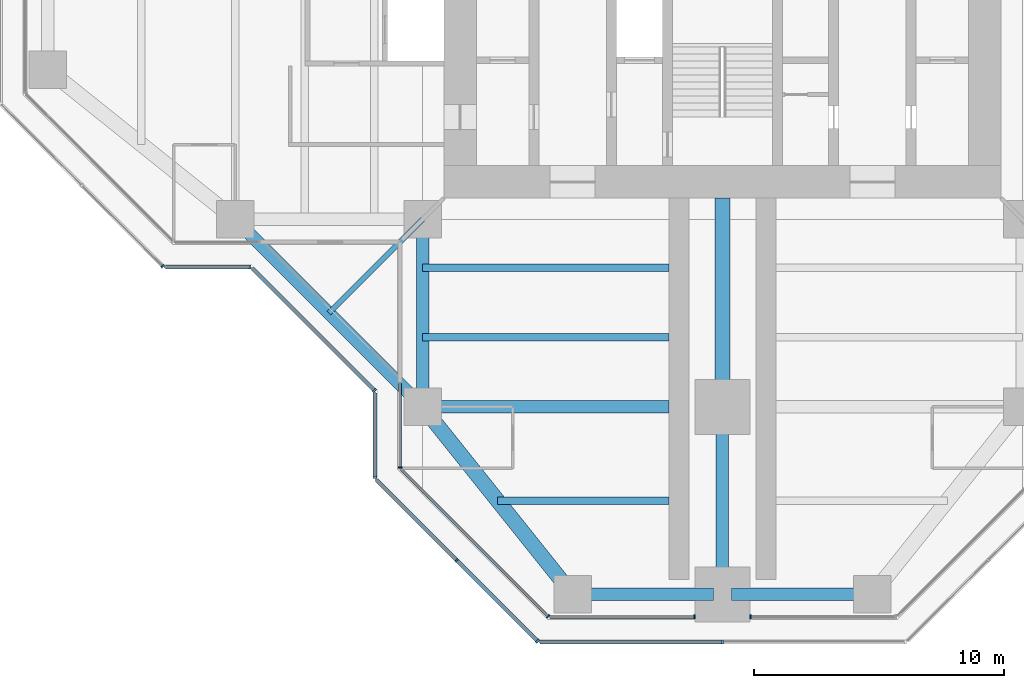
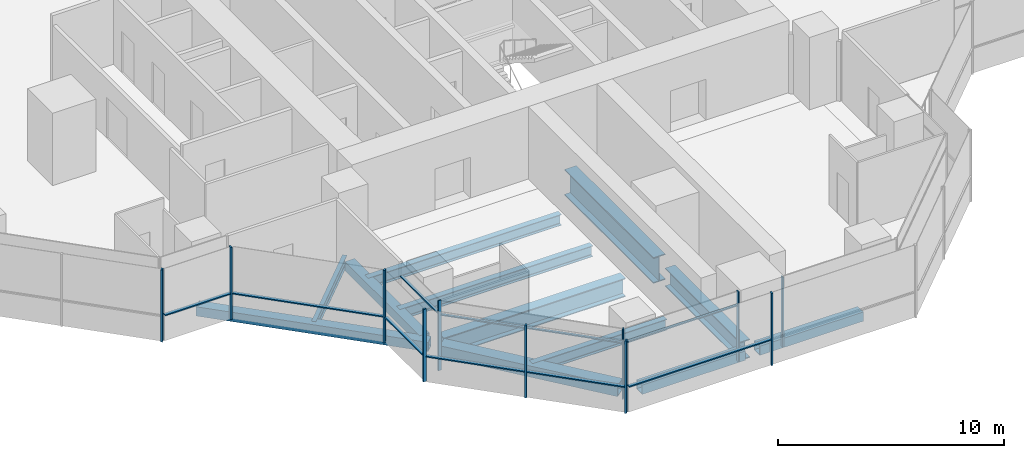
# One storey, part 2 of 17: 20 members, 12 beams, 10 elements without a shape of their own.
"""IFC4 building model written with IfcOpenShell, lengths in metres."""

from ifc_helpers import new_model, si_unit, direction, frame, origin, origin_2d, place, context, subcontext, project, spatial, rectangle, hollow_rectangle, i_section, extrude, material, material_profile, profile_set, type_object, element, aggregate, save


model = new_model("IFC4")

# Units and contexts
model_context = context("Model", 3, precision=1e-05, world=origin(), true_north=direction((0.0, 1.0)))
body_context = subcontext(model_context, "Body", "Model", "MODEL_VIEW")
ifc_project = project(units=[si_unit("LENGTHUNIT", "METRE"), si_unit("AREAUNIT", "SQUARE_METRE"), si_unit("VOLUMEUNIT", "CUBIC_METRE"), si_unit("PLANEANGLEUNIT", "RADIAN"), si_unit("MASSUNIT", "GRAM", prefix="KILO")], contexts=[model_context])

# Site, building, storey
site_placement = place(None, origin())
site = spatial("IfcSite", under=ifc_project, at=site_placement, CompositionType="ELEMENT")
building_placement = place(site_placement, origin())
building = spatial("IfcBuilding", under=site, at=building_placement, Name="Mizan Broadcast Tower", CompositionType="ELEMENT")
storey_placement = place(building_placement, frame((0.0, 0.0, 263.39990234375)))
storey = spatial("IfcBuildingStorey", under=building, at=storey_placement, Name="L62", CompositionType="ELEMENT", Elevation=263.39990234375)

# Beams
ifc_material_1 = material(Name="Steel S355", Category="steel")
ifc_material_profile_1 = material_profile(ifc_material_1, hollow_rectangle(XDim=0.5, YDim=0.5, WallThickness=0.030029296875, at=origin_2d()), Name="BOX 500x500x30")
ifc_profile_set_1 = profile_set([ifc_material_profile_1], Name="Steel S355")
beam_type_1 = type_object("IfcBeamType", Name="EDGE BEAM BOX 500x500x30", PredefinedType="SPANDREL", material=ifc_profile_set_1)
beam_1_placement = place(storey_placement, frame((-12.0, -12.449951171875, -0.3798828125), z_axis=(0.0, -1.0, 0.0), x_axis=(1.0, 0.0, 0.0)))
element("IfcBeam", 1, at=beam_1_placement, inside=storey, type_object=beam_type_1, Name="Edge beam BOX 500x500x30 L62 south arm", PredefinedType="SPANDREL", context=body_context, shape_type="SweptSolid", body=[
    extrude(hollow_rectangle(XDim=0.5, YDim=0.5, WallThickness=0.030029296875, at=origin_2d()), origin(), (0.0, 0.0, 1.0), 6.60009765625),
])
for number, where, z_axis, x_axis, name in (
    (2, (-5.639892578125, -27.0, -0.3798828125), (1.0, 0.0, 0.0), (0.0, 1.0, 0.0), "Edge beam BOX 500x500x30 L62 south arm"),
    (3, (5.639892578125, -27.0, -0.3798828125), (-1.0, 0.0, 0.0), (0.0, -1.0, 0.0), "Edge beam BOX 500x500x30 L62 south arm"),
):
    element("IfcBeam", number, at=place(storey_placement, frame(where, z_axis=z_axis, x_axis=x_axis)), inside=storey, type_object=beam_type_1, Name=name, PredefinedType="SPANDREL", context=body_context, shape_type="SweptSolid", body=[
        extrude(hollow_rectangle(XDim=0.5, YDim=0.5, WallThickness=0.030029296875, at=origin_2d()), origin(), (0.0, 0.0, 1.0), 5.27978515625),
    ])
beam_2_placement = place(storey_placement, frame((-19.5, -12.0, -0.3798828125), z_axis=(0.707106781187, -0.707106781187, 0.0), x_axis=(0.707106781187, 0.707106781187, 0.0)))
element("IfcBeam", 4, at=beam_2_placement, inside=storey, type_object=beam_type_1, Name="Winter garden edge beam L62 W", PredefinedType="SPANDREL", context=body_context, shape_type="SweptSolid", body=[
    extrude(hollow_rectangle(XDim=0.5, YDim=0.5, WallThickness=0.030029296875, at=origin_2d()), origin(), (0.0, 0.0, 1.0), 10.606689453125),
])
ifc_material_2 = material(Name="Steel S355", Category="steel")
ifc_material_profile_2 = material_profile(ifc_material_2, hollow_rectangle(XDim=0.60009765625, YDim=0.60009765625, WallThickness=0.030029296875, at=origin_2d()), Name="BOX 600x600x30")
ifc_profile_set_2 = profile_set([ifc_material_profile_2], Name="Steel S355")
beam_type_2 = type_object("IfcBeamType", Name="EDGE BEAM BOX 600x600x30", PredefinedType="SPANDREL", material=ifc_profile_set_2)
beam_3_placement = place(storey_placement, frame((-11.639892578125, -19.949951171875, -0.429931640625), z_axis=(0.624673911726, -0.780885717636, 0.0), x_axis=(0.780885717636, 0.624673911726, 0.0)))
element("IfcBeam", 5, at=beam_3_placement, inside=storey, type_object=beam_type_2, Name="Edge beam BOX 600x600x30 L62 south arm", PredefinedType="SPANDREL", context=body_context, shape_type="SweptSolid", body=[
    extrude(hollow_rectangle(XDim=0.60009765625, YDim=0.60009765625, WallThickness=0.030029296875, at=origin_2d()), origin(), (0.0, 0.0, 1.0), 8.4521484375),
])
ifc_material_3 = material(Name="Steel S460", Category="steel")
ifc_material_profile_3 = material_profile(ifc_material_3, i_section(OverallWidth=0.5, OverallDepth=1.0, WebThickness=0.02490234375, FlangeThickness=0.050048828125, at=origin_2d()), Name="WPG 1000x500")
ifc_profile_set_3 = profile_set([ifc_material_profile_3], Name="Steel S460")
beam_type_3 = type_object("IfcBeamType", Name="GIRDER WPG 1000x500", PredefinedType="BEAM", material=ifc_profile_set_3)
beam_4_placement = place(storey_placement, frame((0.0, -19.949951171875, -0.6298828125), z_axis=(0.0, -1.0, 0.0), x_axis=(1.0, 0.0, 0.0)))
element("IfcBeam", 6, at=beam_4_placement, inside=storey, type_object=beam_type_3, Name="Girder WPG 1000x500 L62 south arm", PredefinedType="BEAM", context=body_context, shape_type="SweptSolid", body=[
    extrude(i_section(OverallWidth=0.5, OverallDepth=1.0, WebThickness=0.02490234375, FlangeThickness=0.050048828125, at=origin_2d()), origin(), (0.0, 0.0, 1.0), 6.60009765625),
])
beam_5_placement = place(storey_placement, frame((-11.408935546875, -19.5, -0.6298828125), z_axis=(1.0, 0.0, 0.0), x_axis=(0.0, 1.0, 0.0)))
element("IfcBeam", 7, at=beam_5_placement, inside=storey, type_object=beam_type_3, Name="Girder WPG 1000x500 L62 south arm", PredefinedType="BEAM", context=body_context, shape_type="SweptSolid", body=[
    extrude(i_section(OverallWidth=0.5, OverallDepth=1.0, WebThickness=0.02490234375, FlangeThickness=0.050048828125, at=origin_2d()), origin(), (0.0, 0.0, 1.0), 9.259033203125),
])
ifc_material_4 = material(Name="Steel S460", Category="steel")
ifc_material_profile_4 = material_profile(ifc_material_4, i_section(OverallWidth=0.60009765625, OverallDepth=1.39990234375, WebThickness=0.02490234375, FlangeThickness=0.06005859375, at=origin_2d()), Name="WPG 1400x600")
ifc_profile_set_4 = profile_set([ifc_material_profile_4], Name="Steel S460")
beam_type_4 = type_object("IfcBeamType", Name="GIRDER WPG 1400x600", PredefinedType="BEAM", material=ifc_profile_set_4)
beam_6_placement = place(storey_placement, frame((0.0, -11.14990234375, -0.829833984375), z_axis=(0.0, -1.0, 0.0), x_axis=(1.0, 0.0, 0.0)))
element("IfcBeam", 8, at=beam_6_placement, inside=storey, type_object=beam_type_4, Name="Girder WPG 1400x600 L62 south arm", PredefinedType="BEAM", context=body_context, shape_type="SweptSolid", body=[
    extrude(i_section(OverallWidth=0.60009765625, OverallDepth=1.39990234375, WebThickness=0.02490234375, FlangeThickness=0.06005859375, at=origin_2d()), origin(), (0.0, 0.0, 1.0), 7.84912109375),
])

# Curtain wall, member
ifc_material_5 = material(Name="Aluminium framed glazing", Category="aluminium")
curtain_wall_type_1 = type_object("IfcCurtainWallType", Name="INNER SKIN HIGH ZONE", PredefinedType="USERDEFINED", material=ifc_material_5)
curtain_wall_1_placement = place(storey_placement, origin())
curtain_wall_1 = element("IfcCurtainWall", 9, at=curtain_wall_1_placement, inside=storey, type_object=curtain_wall_type_1, Name="Inner skin high zone L62 S side", ObjectType="INNER SKIN HIGH ZONE", PredefinedType="USERDEFINED")
ifc_material_6 = material(Name="Aluminium, pale anodised", Category="aluminium")
ifc_material_profile_5 = material_profile(ifc_material_6, rectangle(XDim=0.159912109375, YDim=0.06005859375, at=origin_2d()), Name="MULLION 160x60")
ifc_profile_set_5 = profile_set([ifc_material_profile_5], Name="Aluminium, pale anodised")
member_type_1 = type_object("IfcMemberType", Name="INNER SKIN MULLION 60x160", PredefinedType="MULLION", material=ifc_profile_set_5)
member_1_placement = place(storey_placement, frame((-12.89990234375, -21.928466796875, 0.0), z_axis=(0.0, 0.0, 1.0), x_axis=(1.0, 0.0, 0.0)))
member_1 = element("IfcMember", 10, at=member_1_placement, type_object=member_type_1, Name="Inner skin high zone L62 S side mullion 2", PredefinedType="MULLION", context=body_context, shape_type="SweptSolid", body=[
    extrude(rectangle(XDim=0.159912109375, YDim=0.06005859375, at=origin_2d()), origin(), (0.0, 0.0, 1.0), 3.77001953125),
])

curtain_wall_2_placement = place(storey_placement, origin())
curtain_wall_2 = element("IfcCurtainWall", 11, at=curtain_wall_2_placement, inside=storey, type_object=curtain_wall_type_1, Name="Inner skin high zone L62 S chamfer", ObjectType="INNER SKIN HIGH ZONE", PredefinedType="USERDEFINED")
member_2_placement = place(storey_placement, frame((-6.979736328125, -27.87890625, 0.0), z_axis=(0.0, 0.0, 1.0), x_axis=(0.707106781187, 0.707106781187, 0.0)))
member_2 = element("IfcMember", 12, at=member_2_placement, type_object=member_type_1, Name="Inner skin high zone L62 S chamfer mullion 2", PredefinedType="MULLION", context=body_context, shape_type="SweptSolid", body=[
    extrude(rectangle(XDim=0.159912109375, YDim=0.06005859375, at=origin_2d()), origin(), (0.0, 0.0, 1.0), 3.77001953125),
])

curtain_wall_3_placement = place(storey_placement, origin())
curtain_wall_3 = element("IfcCurtainWall", 13, at=curtain_wall_3_placement, inside=storey, type_object=curtain_wall_type_1, Name="Inner skin high zone L62 S end", ObjectType="INNER SKIN HIGH ZONE", PredefinedType="USERDEFINED")
member_3_placement = place(storey_placement, frame((-1.1298828125, -27.89990234375, 0.0), z_axis=(0.0, 0.0, 1.0), x_axis=(0.0, 1.0, 0.0)))
member_3 = element("IfcMember", 14, at=member_3_placement, type_object=member_type_1, Name="Inner skin high zone L62 S end mullion 2", PredefinedType="MULLION", context=body_context, shape_type="SweptSolid", body=[
    extrude(rectangle(XDim=0.159912109375, YDim=0.06005859375, at=origin_2d()), origin(), (0.0, 0.0, 1.0), 3.77001953125),
])

curtain_wall_4_placement = place(storey_placement, origin())
curtain_wall_4 = element("IfcCurtainWall", 15, at=curtain_wall_4_placement, inside=storey, type_object=curtain_wall_type_1, Name="Inner skin high zone L62 S end", ObjectType="INNER SKIN HIGH ZONE", PredefinedType="USERDEFINED")
member_4_placement = place(storey_placement, frame((1.1298828125, -27.89990234375, 0.0), z_axis=(0.0, 0.0, 1.0), x_axis=(0.0, 1.0, 0.0)))
member_4 = element("IfcMember", 16, at=member_4_placement, type_object=member_type_1, Name="Inner skin high zone L62 S end mullion 1", PredefinedType="MULLION", context=body_context, shape_type="SweptSolid", body=[
    extrude(rectangle(XDim=0.159912109375, YDim=0.06005859375, at=origin_2d()), origin(), (0.0, 0.0, 1.0), 3.77001953125),
])
aggregate(curtain_wall_4, [member_4])

# Member
ifc_material_7 = material(Name="Aluminium, pale anodised", Category="aluminium")
ifc_material_profile_6 = material_profile(ifc_material_7, rectangle(XDim=0.1201171875, YDim=0.06005859375, at=origin_2d()), Name="TRANSOM 120x60")
ifc_profile_set_6 = profile_set([ifc_material_profile_6], Name="Aluminium, pale anodised")
member_type_2 = type_object("IfcMemberType", Name="INNER SKIN TRANSOM 60x120", PredefinedType="USERDEFINED", material=ifc_profile_set_6)
member_5_placement = place(storey_placement, frame((-12.89990234375, -18.56005859375, 3.030029296875), z_axis=(0.0, -1.0, 0.0), x_axis=(1.0, 0.0, 0.0)))
member_5 = element("IfcMember", 17, at=member_5_placement, type_object=member_type_2, Name="Inner skin high zone L62 S side transom 1.1", ObjectType="TRANSOM", PredefinedType="USERDEFINED", context=body_context, shape_type="SweptSolid", body=[
    extrude(rectangle(XDim=0.1201171875, YDim=0.06005859375, at=origin_2d()), origin(), (0.0, 0.0, 1.0), 3.338623046875),
])

aggregate(curtain_wall_1, [member_1, member_5])

member_6_placement = place(storey_placement, frame((-12.857666015625, -22.0009765625, 3.030029296875), z_axis=(0.707106781187, -0.707106781187, 0.0), x_axis=(0.707106781187, 0.707106781187, 0.0)))
member_6 = element("IfcMember", 18, at=member_6_placement, type_object=member_type_2, Name="Inner skin high zone L62 S chamfer transom 1.1", ObjectType="TRANSOM", PredefinedType="USERDEFINED", context=body_context, shape_type="SweptSolid", body=[
    extrude(rectangle(XDim=0.1201171875, YDim=0.06005859375, at=origin_2d()), origin(), (0.0, 0.0, 1.0), 8.28271484375),
])

aggregate(curtain_wall_2, [member_2, member_6])

member_7_placement = place(storey_placement, frame((-6.898681640625, -27.89990234375, 3.030029296875), z_axis=(1.0, 0.0, 0.0), x_axis=(0.0, 1.0, 0.0)))
member_7 = element("IfcMember", 19, at=member_7_placement, type_object=member_type_2, Name="Inner skin high zone L62 S end transom 1.1", ObjectType="TRANSOM", PredefinedType="USERDEFINED", context=body_context, shape_type="SweptSolid", body=[
    extrude(rectangle(XDim=0.1201171875, YDim=0.06005859375, at=origin_2d()), origin(), (0.0, 0.0, 1.0), 5.73876953125),
])

aggregate(curtain_wall_3, [member_3, member_7])

# Curtain wall, member
ifc_material_8 = material(Name="Aluminium framed glazing", Category="aluminium")
curtain_wall_type_2 = type_object("IfcCurtainWallType", Name="OUTER SKIN", PredefinedType="USERDEFINED", material=ifc_material_8)
curtain_wall_5_placement = place(storey_placement, origin())
curtain_wall_5 = element("IfcCurtainWall", 20, at=curtain_wall_5_placement, inside=storey, type_object=curtain_wall_type_2, Name="Outer skin L62 W chamfer", ObjectType="OUTER SKIN", PredefinedType="USERDEFINED")
ifc_material_9 = material(Name="Aluminium, pale anodised", Category="aluminium")
ifc_material_profile_7 = material_profile(ifc_material_9, rectangle(XDim=0.159912109375, YDim=0.080078125, at=origin_2d()), Name="MULLION 160x80")
ifc_profile_set_7 = profile_set([ifc_material_profile_7], Name="Aluminium, pale anodised")
member_type_3 = type_object("IfcMemberType", Name="OUTER SKIN MULLION 80x160", PredefinedType="MULLION", material=ifc_profile_set_7)
member_8_placement = place(storey_placement, frame((-22.401123046875, -13.871826171875, 0.0), z_axis=(0.0, 0.0, 1.0), x_axis=(0.707106781187, 0.707106781187, 0.0)))
member_8 = element("IfcMember", 21, at=member_8_placement, type_object=member_type_3, Name="Outer skin L62 W chamfer mullion 3", PredefinedType="MULLION", context=body_context, shape_type="SweptSolid", body=[
    extrude(rectangle(XDim=0.159912109375, YDim=0.080078125, at=origin_2d()), origin(), (0.0, 0.0, 1.0), 3.900146484375),
])
aggregate(curtain_wall_5, [member_8])

curtain_wall_6_placement = place(storey_placement, origin())
curtain_wall_6 = element("IfcCurtainWall", 22, at=curtain_wall_6_placement, inside=storey, type_object=curtain_wall_type_2, Name="Outer skin L62 W side", ObjectType="OUTER SKIN", PredefinedType="USERDEFINED")
member_9_placement = place(storey_placement, frame((-18.912841796875, -13.89990234375, 0.0), z_axis=(0.0, 0.0, 1.0), x_axis=(0.0, 1.0, 0.0)))
member_9 = element("IfcMember", 23, at=member_9_placement, type_object=member_type_3, Name="Outer skin L62 W side mullion 2", PredefinedType="MULLION", context=body_context, shape_type="SweptSolid", body=[
    extrude(rectangle(XDim=0.159912109375, YDim=0.080078125, at=origin_2d()), origin(), (0.0, 0.0, 1.0), 3.900146484375),
])

curtain_wall_7_placement = place(storey_placement, origin())
curtain_wall_7 = element("IfcCurtainWall", 24, at=curtain_wall_7_placement, inside=storey, type_object=curtain_wall_type_2, Name="Outer skin L62 W chamfer", ObjectType="OUTER SKIN", PredefinedType="USERDEFINED")
member_10_placement = place(storey_placement, frame((-13.92822265625, -18.844482421875, 0.0), z_axis=(0.0, 0.0, 1.0), x_axis=(0.707106781187, 0.707106781187, 0.0)))
member_10 = element("IfcMember", 25, at=member_10_placement, type_object=member_type_3, Name="Outer skin L62 W chamfer mullion 2", PredefinedType="MULLION", context=body_context, shape_type="SweptSolid", body=[
    extrude(rectangle(XDim=0.159912109375, YDim=0.080078125, at=origin_2d()), origin(), (0.0, 0.0, 1.0), 3.900146484375),
])

curtain_wall_8_placement = place(storey_placement, origin())
curtain_wall_8 = element("IfcCurtainWall", 26, at=curtain_wall_8_placement, inside=storey, type_object=curtain_wall_type_2, Name="Outer skin L62 S side", ObjectType="OUTER SKIN", PredefinedType="USERDEFINED")
member_11_placement = place(storey_placement, frame((-13.89990234375, -22.332763671875, 0.0), z_axis=(0.0, 0.0, 1.0), x_axis=(1.0, 0.0, 0.0)))
member_11 = element("IfcMember", 27, at=member_11_placement, type_object=member_type_3, Name="Outer skin L62 S side mullion 2", PredefinedType="MULLION", context=body_context, shape_type="SweptSolid", body=[
    extrude(rectangle(XDim=0.159912109375, YDim=0.080078125, at=origin_2d()), origin(), (0.0, 0.0, 1.0), 3.900146484375),
])

# Curtain wall, members
curtain_wall_9_placement = place(storey_placement, origin())
curtain_wall_9 = element("IfcCurtainWall", 28, at=curtain_wall_9_placement, inside=storey, type_object=curtain_wall_type_2, Name="Outer skin L62 S chamfer", ObjectType="OUTER SKIN", PredefinedType="USERDEFINED")
member_12_placement = place(storey_placement, frame((-10.636474609375, -25.636474609375, 0.0), z_axis=(0.0, 0.0, 1.0), x_axis=(0.707106781187, 0.707106781187, 0.0)))
member_12 = element("IfcMember", 29, at=member_12_placement, type_object=member_type_3, Name="Outer skin L62 S chamfer mullion 2", PredefinedType="MULLION", context=body_context, shape_type="SweptSolid", body=[
    extrude(rectangle(XDim=0.159912109375, YDim=0.080078125, at=origin_2d()), origin(), (0.0, 0.0, 1.0), 3.900146484375),
])
member_13_placement = place(storey_placement, frame((-7.401123046875, -28.871826171875, 0.0), z_axis=(0.0, 0.0, 1.0), x_axis=(0.707106781187, 0.707106781187, 0.0)))
member_13 = element("IfcMember", 30, at=member_13_placement, type_object=member_type_3, Name="Outer skin L62 S chamfer mullion 3", PredefinedType="MULLION", context=body_context, shape_type="SweptSolid", body=[
    extrude(rectangle(XDim=0.159912109375, YDim=0.080078125, at=origin_2d()), origin(), (0.0, 0.0, 1.0), 3.900146484375),
])

# Curtain wall, member
curtain_wall_10_placement = place(storey_placement, origin())
curtain_wall_10 = element("IfcCurtainWall", 31, at=curtain_wall_10_placement, inside=storey, type_object=curtain_wall_type_2, Name="Outer skin L62 S end", ObjectType="OUTER SKIN", PredefinedType="USERDEFINED")
member_14_placement = place(storey_placement, frame((0.0, -28.89990234375, 0.0), z_axis=(0.0, 0.0, 1.0), x_axis=(0.0, 1.0, 0.0)))
member_14 = element("IfcMember", 32, at=member_14_placement, type_object=member_type_3, Name="Outer skin L62 S end mullion 2", PredefinedType="MULLION", context=body_context, shape_type="SweptSolid", body=[
    extrude(rectangle(XDim=0.159912109375, YDim=0.080078125, at=origin_2d()), origin(), (0.0, 0.0, 1.0), 3.900146484375),
])

# Member
ifc_material_10 = material(Name="Aluminium, pale anodised", Category="aluminium")
ifc_material_profile_8 = material_profile(ifc_material_10, rectangle(XDim=0.159912109375, YDim=0.06005859375, at=origin_2d()), Name="TRANSOM 160x60")
ifc_profile_set_8 = profile_set([ifc_material_profile_8], Name="Aluminium, pale anodised")
member_type_4 = type_object("IfcMemberType", Name="OUTER SKIN TRANSOM 60x160", PredefinedType="USERDEFINED", material=ifc_profile_set_8)
member_15_placement = place(storey_placement, frame((-22.292724609375, -13.89990234375, 1.400146484375), z_axis=(1.0, 0.0, 0.0), x_axis=(0.0, 1.0, 0.0)))
member_15 = element("IfcMember", 33, at=member_15_placement, type_object=member_type_4, Name="Outer skin L62 W side transom 1.1", ObjectType="TRANSOM", PredefinedType="USERDEFINED", context=body_context, shape_type="SweptSolid", body=[
    extrude(rectangle(XDim=0.159912109375, YDim=0.06005859375, at=origin_2d()), origin(), (0.0, 0.0, 1.0), 3.33984375),
])

aggregate(curtain_wall_6, [member_9, member_15])

member_16_placement = place(storey_placement, frame((-18.816162109375, -13.95654296875, 1.400146484375), z_axis=(0.707106781187, -0.707106781187, 0.0), x_axis=(0.707106781187, 0.707106781187, 0.0)))
member_16 = element("IfcMember", 34, at=member_16_placement, type_object=member_type_4, Name="Outer skin L62 W chamfer transom 1.1", ObjectType="TRANSOM", PredefinedType="USERDEFINED", context=body_context, shape_type="SweptSolid", body=[
    extrude(rectangle(XDim=0.159912109375, YDim=0.06005859375, at=origin_2d()), origin(), (0.0, 0.0, 1.0), 6.87255859375),
])

aggregate(curtain_wall_7, [member_10, member_16])

member_17_placement = place(storey_placement, frame((-13.89990234375, -18.952880859375, 1.400146484375), z_axis=(0.0, -1.0, 0.0), x_axis=(1.0, 0.0, 0.0)))
member_17 = element("IfcMember", 35, at=member_17_placement, type_object=member_type_4, Name="Outer skin L62 S side transom 1.1", ObjectType="TRANSOM", PredefinedType="USERDEFINED", context=body_context, shape_type="SweptSolid", body=[
    extrude(rectangle(XDim=0.159912109375, YDim=0.06005859375, at=origin_2d()), origin(), (0.0, 0.0, 1.0), 3.33984375),
])

aggregate(curtain_wall_8, [member_11, member_17])

member_18_placement = place(storey_placement, frame((-13.843505859375, -22.429443359375, 1.400146484375), z_axis=(0.707106781187, -0.707106781187, 0.0), x_axis=(0.707106781187, 0.707106781187, 0.0)))
member_18 = element("IfcMember", 36, at=member_18_placement, type_object=member_type_4, Name="Outer skin L62 S chamfer transom 1.1", ObjectType="TRANSOM", PredefinedType="USERDEFINED", context=body_context, shape_type="SweptSolid", body=[
    extrude(rectangle(XDim=0.159912109375, YDim=0.06005859375, at=origin_2d()), origin(), (0.0, 0.0, 1.0), 4.495361328125),
])

member_19_placement = place(storey_placement, frame((-10.608154296875, -25.664794921875, 1.400146484375), z_axis=(0.707106781187, -0.707106781187, 0.0), x_axis=(0.707106781187, 0.707106781187, 0.0)))
member_19 = element("IfcMember", 37, at=member_19_placement, type_object=member_type_4, Name="Outer skin L62 S chamfer transom 2.1", ObjectType="TRANSOM", PredefinedType="USERDEFINED", context=body_context, shape_type="SweptSolid", body=[
    extrude(rectangle(XDim=0.159912109375, YDim=0.06005859375, at=origin_2d()), origin(), (0.0, 0.0, 1.0), 4.495361328125),
])

aggregate(curtain_wall_9, [member_12, member_13, member_18, member_19])

member_20_placement = place(storey_placement, frame((-7.292724609375, -28.89990234375, 1.400146484375), z_axis=(1.0, 0.0, 0.0), x_axis=(0.0, 1.0, 0.0)))
member_20 = element("IfcMember", 38, at=member_20_placement, type_object=member_type_4, Name="Outer skin L62 S end transom 1.1", ObjectType="TRANSOM", PredefinedType="USERDEFINED", context=body_context, shape_type="SweptSolid", body=[
    extrude(rectangle(XDim=0.159912109375, YDim=0.06005859375, at=origin_2d()), origin(), (0.0, 0.0, 1.0), 7.252685546875),
])

aggregate(curtain_wall_10, [member_14, member_20])

# Beams
ifc_material_11 = material(Name="Steel S355", Category="steel")
ifc_material_profile_9 = material_profile(ifc_material_11, i_section(OverallWidth=0.300048828125, OverallDepth=0.590087890625, WebThickness=0.012939453125, FlangeThickness=0.02490234375, FilletRadius=0.027099609375, at=origin_2d()), Name="HEA 600")
ifc_profile_set_9 = profile_set([ifc_material_profile_9], Name="Steel S355")
beam_type_5 = type_object("IfcBeamType", Name="SECONDARY BEAM HEA 600", PredefinedType="JOIST", material=ifc_profile_set_9)
for number, where, z_axis, x_axis, name in (
    (39, (-12.0, -13.933349609375, -0.4248046875), (1.0, 0.0, 0.0), (0.0, 1.0, 0.0), "Secondary beam HEA 600 L62 south arm"),
    (40, (-12.0, -16.716552734375, -0.4248046875), (1.0, 0.0, 0.0), (0.0, 1.0, 0.0), "Secondary beam HEA 600 L62 south arm"),
):
    element("IfcBeam", number, at=place(storey_placement, frame(where, z_axis=z_axis, x_axis=x_axis)), inside=storey, type_object=beam_type_5, Name=name, PredefinedType="JOIST", context=body_context, shape_type="SweptSolid", body=[
        extrude(i_section(OverallWidth=0.300048828125, OverallDepth=0.590087890625, WebThickness=0.012939453125, FlangeThickness=0.02490234375, FilletRadius=0.027099609375, at=origin_2d()), origin(), (0.0, 0.0, 1.0), 9.85009765625),
    ])
beam_7_placement = place(storey_placement, frame((-9.0, -23.25, -0.4248046875), z_axis=(1.0, 0.0, 0.0), x_axis=(0.0, 1.0, 0.0)))
element("IfcBeam", 41, at=beam_7_placement, inside=storey, type_object=beam_type_5, Name="Secondary beam HEA 600 L62 south arm", PredefinedType="JOIST", context=body_context, shape_type="SweptSolid", body=[
    extrude(i_section(OverallWidth=0.300048828125, OverallDepth=0.590087890625, WebThickness=0.012939453125, FlangeThickness=0.02490234375, FilletRadius=0.027099609375, at=origin_2d()), origin(), (0.0, 0.0, 1.0), 6.85009765625),
])
ifc_material_12 = material(Name="Steel S355", Category="steel")
ifc_material_profile_10 = material_profile(ifc_material_12, i_section(OverallWidth=0.2099609375, OverallDepth=0.550048828125, WebThickness=0.010986328125, FlangeThickness=0.01708984375, FilletRadius=0.02392578125, at=origin_2d()), Name="IPE 550")
ifc_profile_set_10 = profile_set([ifc_material_profile_10], Name="Steel S355")
beam_type_6 = type_object("IfcBeamType", Name="SECONDARY BEAM IPE 550", PredefinedType="JOIST", material=ifc_profile_set_10)
beam_8_placement = place(storey_placement, frame((-12.0, -12.0, -0.40478515625), z_axis=(-0.707106781187, -0.707106781187, 0.0), x_axis=(0.707106781187, -0.707106781187, 0.0)))
element("IfcBeam", 42, at=beam_8_placement, inside=storey, type_object=beam_type_6, Name="Winter garden beam L62 W", PredefinedType="JOIST", context=body_context, shape_type="SweptSolid", body=[
    extrude(i_section(OverallWidth=0.2099609375, OverallDepth=0.550048828125, WebThickness=0.010986328125, FlangeThickness=0.01708984375, FilletRadius=0.02392578125, at=origin_2d()), origin(), (0.0, 0.0, 1.0), 5.30322265625),
])

save(model, "model.ifc")
